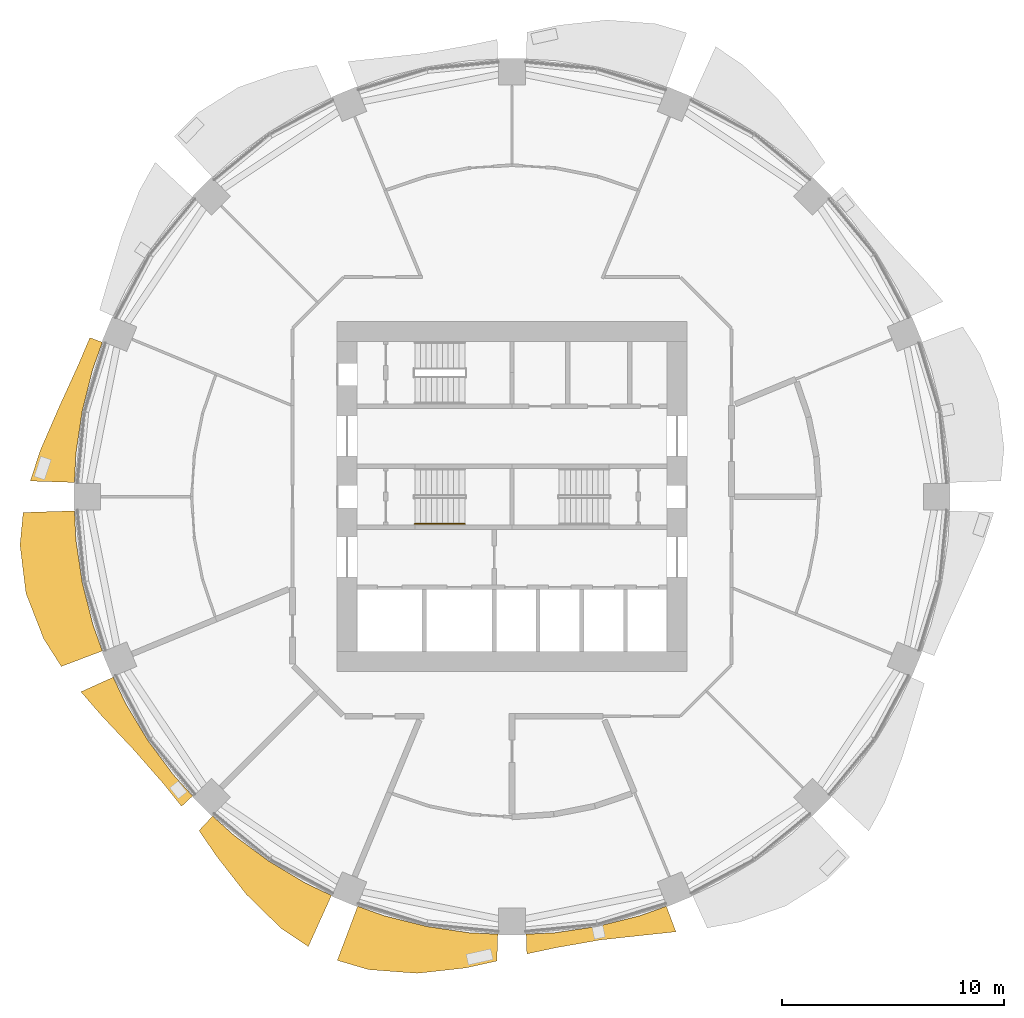
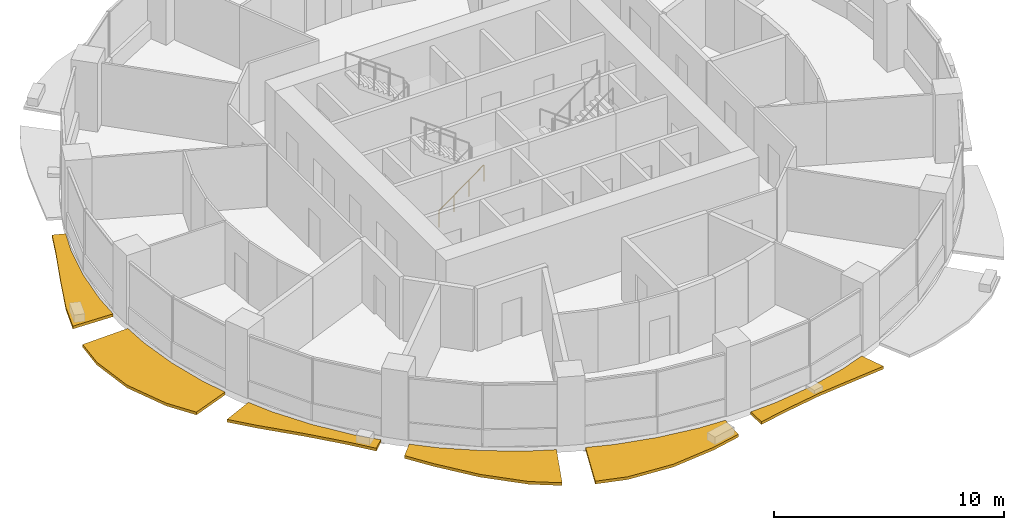
# One storey, part 12 of 15: 6 shading devices, 1 railing.
"""IFC4 building model written with IfcOpenShell, lengths in metres."""

from ifc_helpers import new_model, si_unit, direction, frame, origin, origin_2d, place, context, subcontext, project, spatial, polyline, circle, outline, extrude, material, type_object, element, save


model = new_model("IFC4")

# Units and contexts
model_context = context("Model", 3, precision=1e-05, world=origin(), true_north=direction((0.0, 1.0)))
body_context = subcontext(model_context, "Body", "Model", "MODEL_VIEW")
ifc_project = project(units=[si_unit("LENGTHUNIT", "METRE"), si_unit("AREAUNIT", "SQUARE_METRE"), si_unit("VOLUMEUNIT", "CUBIC_METRE"), si_unit("PLANEANGLEUNIT", "RADIAN"), si_unit("MASSUNIT", "GRAM", prefix="KILO")], contexts=[model_context])

# Site, building, storey
site_placement = place(None, origin())
site = spatial("IfcSite", under=ifc_project, at=site_placement, CompositionType="ELEMENT")
building_placement = place(site_placement, origin())
building = spatial("IfcBuilding", under=site, at=building_placement, Name="Polderwave Tower", CompositionType="ELEMENT")
storey_placement = place(building_placement, frame((0.0, 0.0, 44.449951171875)))
storey = spatial("IfcBuildingStorey", under=building, at=storey_placement, Name="L11", CompositionType="ELEMENT", Elevation=44.449951171875)

# Railing
ifc_material_1 = material(Name="Stainless steel", Category="steel")
railing_type = type_object("IfcRailingType", Name="Stair handrail 900", PredefinedType="HANDRAIL", material=ifc_material_1)
railing_placement = place(storey_placement, frame((-4.3740234375, -1.22509765625, 0.1826171875)))
element("IfcRailing", 1, at=railing_placement, inside=storey, type_object=railing_type, Name="L11 ST-A stair handrail 1", PredefinedType="HANDRAIL", context=body_context, shape_type="SweptSolid", body=[
    extrude(circle(Radius=0.02392578125, at=origin_2d()), frame((0.0, 0.0, 0.8759765625), z_axis=(0.807715371301, 0.0, 0.589572623995), x_axis=(0.0, 1.0, 0.0)), (0.0, 0.0, 1.0), 2.78564453125),
    extrude(circle(Radius=0.02099609375, at=origin_2d()), origin(), (0.0, 0.0, 1.0), 0.851806640625),
    extrude(circle(Radius=0.02099609375, at=origin_2d()), frame((0.75, 0.0, 0.54736328125)), (0.0, 0.0, 1.0), 0.851806640625),
    extrude(circle(Radius=0.02099609375, at=origin_2d()), frame((1.5, 0.0, 1.094970703125)), (0.0, 0.0, 1.0), 0.851806640625),
    extrude(circle(Radius=0.02099609375, at=origin_2d()), frame((2.25, 0.0, 1.642333984375)), (0.0, 0.0, 1.0), 0.851806640625),
])

# Shading devices
ifc_material_2 = material(Name="Terracotta", Category="masonry")
shading_device_type = type_object("IfcShadingDeviceType", Name="Terracotta sunshade band", PredefinedType="USERDEFINED", material=ifc_material_2)
shading_device_1_placement = place(storey_placement, frame((0.0, 0.0, -0.349853515625)))
element("IfcShadingDevice", 2, at=shading_device_1_placement, inside=storey, type_object=shading_device_type, Name="Sunshade band L11 8", ObjectType="SUNSHADE", PredefinedType="USERDEFINED", context=body_context, shape_type="SweptSolid", body=[
    extrude(outline(polyline([(-18.4248046875, 6.94140625), (-18.861328125, 5.721435546875), (-19.331298828125, 3.84521484375), (-19.614990234375, 1.931884765625), (-19.6787109375, 0.637939453125), (-21.668701171875, 0.702392578125), (-21.214599609375, 2.089599609375), (-20.361572265625, 4.05029296875), (-19.510986328125, 5.918701171875), (-18.986328125, 7.15283203125), (-18.4248046875, 6.94140625)])), origin(), (0.0, 0.0, 1.0), 0.14990234375),
])
shading_device_2_placement = place(storey_placement, frame((0.0, 0.0, -0.349853515625)))
element("IfcShadingDevice", 3, at=shading_device_2_placement, inside=storey, type_object=shading_device_type, Name="Sunshade band L11 9", ObjectType="SUNSHADE", PredefinedType="USERDEFINED", context=body_context, shape_type="SweptSolid", body=[
    extrude(outline(polyline([(-19.6787109375, -0.637939453125), (-19.614990234375, -1.931884765625), (-19.331298828125, -3.84521484375), (-18.861328125, -5.721435546875), (-18.4248046875, -6.94140625), (-20.272216796875, -7.637451171875), (-21.064208984375, -6.3896484375), (-21.861083984375, -4.348388671875), (-22.129638671875, -2.1796875), (-21.98828125, -0.712890625), (-19.6787109375, -0.637939453125)])), origin(), (0.0, 0.0, 1.0), 0.14990234375),
])
shading_device_3_placement = place(storey_placement, frame((0.0, 0.0, -0.349853515625)))
element("IfcShadingDevice", 4, at=shading_device_3_placement, inside=storey, type_object=shading_device_type, Name="Sunshade band L11 10", ObjectType="SUNSHADE", PredefinedType="USERDEFINED", context=body_context, shape_type="SweptSolid", body=[
    extrude(outline(polyline([(-17.9365234375, -8.1201171875), (-17.3828125, -9.291259765625), (-16.38818359375, -10.9501953125), (-15.236083984375, -12.50390625), (-14.365966796875, -13.4638671875), (-14.86181640625, -13.9287109375), (-15.699951171875, -12.884521484375), (-17.02392578125, -11.375), (-18.4501953125, -9.86181640625), (-19.389404296875, -8.777587890625), (-17.9365234375, -8.1201171875)])), origin(), (0.0, 0.0, 1.0), 0.14990234375),
])
shading_device_4_placement = place(storey_placement, frame((0.0, 0.0, -0.349853515625)))
element("IfcShadingDevice", 5, at=shading_device_4_placement, inside=storey, type_object=shading_device_type, Name="Sunshade band L11 11", ObjectType="SUNSHADE", PredefinedType="USERDEFINED", context=body_context, shape_type="SweptSolid", body=[
    extrude(outline(polyline([(-13.4638671875, -14.365966796875), (-12.50390625, -15.236083984375), (-10.9501953125, -16.38818359375), (-9.291259765625, -17.3828125), (-8.1201171875, -17.9365234375), (-9.162353515625, -20.239013671875), (-10.381103515625, -19.421875), (-11.95166015625, -17.88671875), (-13.280517578125, -16.182373046875), (-14.0771484375, -15.020263671875), (-13.4638671875, -14.365966796875)])), origin(), (0.0, 0.0, 1.0), 0.14990234375),
])
shading_device_5_placement = place(storey_placement, frame((0.0, 0.0, -0.349853515625)))
element("IfcShadingDevice", 6, at=shading_device_5_placement, inside=storey, type_object=shading_device_type, Name="Sunshade band L11 12", ObjectType="SUNSHADE", PredefinedType="USERDEFINED", context=body_context, shape_type="SweptSolid", body=[
    extrude(outline(polyline([(-6.94140625, -18.4248046875), (-5.721435546875, -18.861328125), (-3.84521484375, -19.331298828125), (-1.931884765625, -19.614990234375), (-0.637939453125, -19.6787109375), (-0.677001953125, -20.88671875), (-2.087890625, -21.2001953125), (-4.2646484375, -21.439453125), (-6.453369140625, -21.273681640625), (-7.85791015625, -20.85791015625), (-6.94140625, -18.4248046875)])), origin(), (0.0, 0.0, 1.0), 0.14990234375),
])
shading_device_6_placement = place(storey_placement, frame((0.0, 0.0, -0.349853515625)))
element("IfcShadingDevice", 7, at=shading_device_6_placement, inside=storey, type_object=shading_device_type, Name="Sunshade band L11 13", ObjectType="SUNSHADE", PredefinedType="USERDEFINED", context=body_context, shape_type="SweptSolid", body=[
    extrude(outline(polyline([(0.637939453125, -19.6787109375), (1.931884765625, -19.614990234375), (3.84521484375, -19.331298828125), (5.721435546875, -18.861328125), (6.94140625, -18.4248046875), (7.37353515625, -19.572021484375), (5.982177734375, -19.720703125), (3.96630859375, -19.93994140625), (1.997802734375, -20.28515625), (0.666748046875, -20.5673828125), (0.637939453125, -19.6787109375)])), origin(), (0.0, 0.0, 1.0), 0.14990234375),
])

save(model, "model.ifc")
